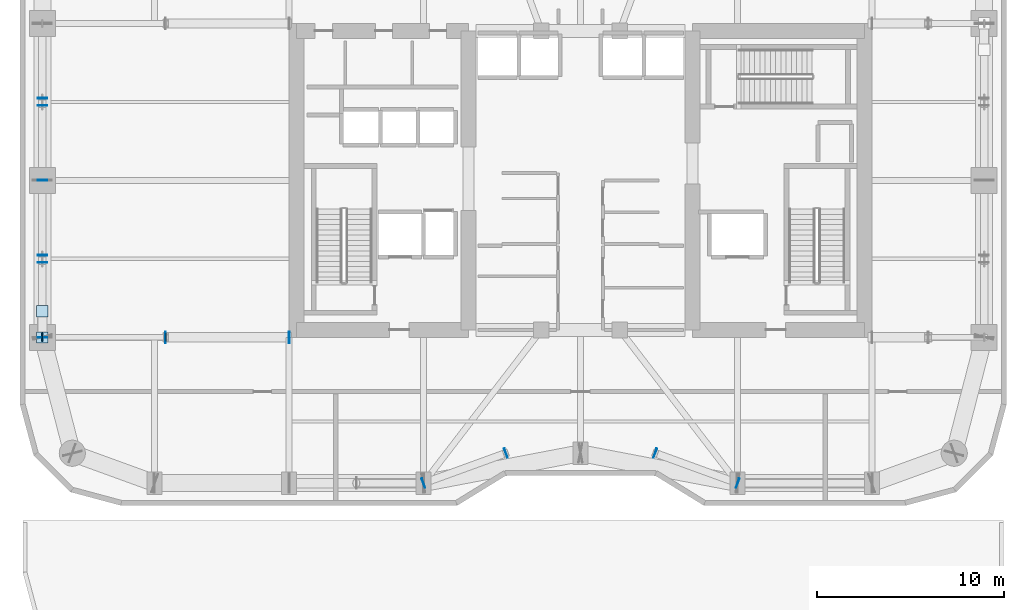
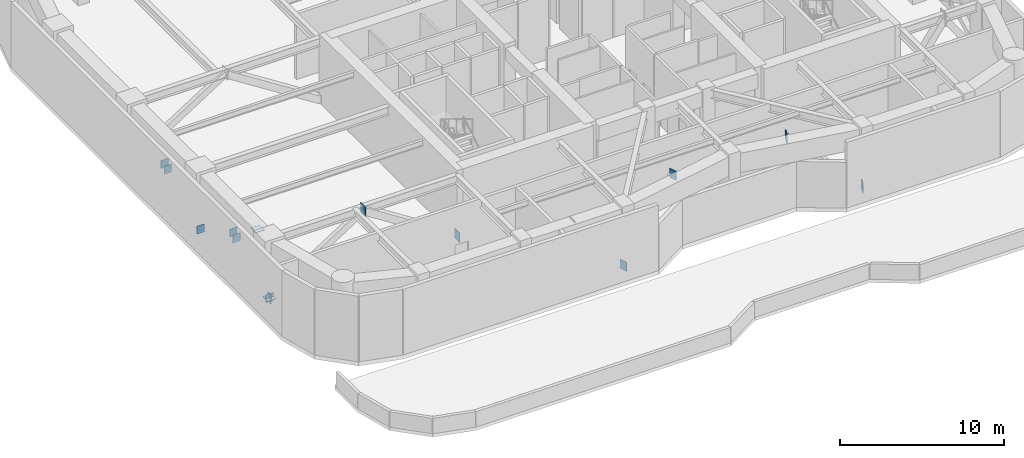
# One storey, part 8 of 16: 17 plates.
"""IFC4 building model written with IfcOpenShell, lengths in metres."""

from ifc_helpers import new_model, si_unit, direction, frame, origin, origin_2d, place, context, subcontext, project, spatial, rectangle, extrude, material, layer, layer_set, type_object, element, save


model = new_model("IFC4")

# Units and contexts
model_context = context("Model", 3, precision=1e-05, world=origin(), true_north=direction((0.0, 1.0)))
body_context = subcontext(model_context, "Body", "Model", "MODEL_VIEW")
ifc_project = project(units=[si_unit("LENGTHUNIT", "METRE"), si_unit("AREAUNIT", "SQUARE_METRE"), si_unit("VOLUMEUNIT", "CUBIC_METRE"), si_unit("PLANEANGLEUNIT", "RADIAN"), si_unit("MASSUNIT", "GRAM", prefix="KILO")], contexts=[model_context])

# Site, building, storey
site_placement = place(None, origin())
site = spatial("IfcSite", under=ifc_project, at=site_placement, CompositionType="ELEMENT")
building_placement = place(site_placement, origin())
building = spatial("IfcBuilding", under=site, at=building_placement, Name="Kiyonajd Concourse Tower", CompositionType="ELEMENT")
storey_placement = place(building_placement, frame((0.0, 0.0, 145.5)))
storey = spatial("IfcBuildingStorey", under=building, at=storey_placement, Name="L37", CompositionType="ELEMENT", Elevation=145.5)

# Plates
ifc_material = material(Name="Steel ASTM A572 Grade 50", Category="steel")
ifc_layer_1 = layer(ifc_material, 0.028076171875)
ifc_layer_set_1 = layer_set([ifc_layer_1], Name="Steel ASTM A572 Grade 50")
plate_type_1 = type_object("IfcPlateType", Name="PL-CAP-450", PredefinedType="USERDEFINED", material=ifc_layer_set_1)
for number, where, z_axis, x_axis, name in (
    (1, (19.199951171875, 27.596435546875, 0.275390625), (0.0, 0.0, 1.0), (1.0, 0.0, 0.0), "L37 Hollow Brace End Cap Plate PBW"),
    (2, (19.199951171875, 29.00341796875, 4.5263671875), (0.0, 0.0, 1.0), (1.0, 0.0, 0.0), "L37 Hollow Brace Top Cap Plate PBW"),
):
    element("IfcPlate", number, at=place(storey_placement, frame(where, z_axis=z_axis, x_axis=x_axis)), inside=storey, type_object=plate_type_1, Name=name, ObjectType="CAP PLATE", PredefinedType="USERDEFINED", context=body_context, shape_type="SweptSolid", body=[
        extrude(rectangle(XDim=0.60791015625, YDim=0.60791015625, at=origin_2d()), origin(), (0.0, 0.0, 1.0), 0.028076171875),
    ])
ifc_layer_2 = layer(ifc_material, 0.031982421875)
ifc_layer_set_2 = layer_set([ifc_layer_2], Name="Steel ASTM A572 Grade 50")
plate_type_2 = type_object("IfcPlateType", Name="PL-CAP-540", PredefinedType="USERDEFINED", material=ifc_layer_set_2)
for number, where, z_axis, x_axis, name in (
    (3, (32.4091796875, 27.60009765625, -0.07275390625), (0.0, 0.0, 1.0), (1.0, 0.0, 0.0), "L37 Outrigger End Cap Plate 01"),
    (4, (25.790771484375, 27.60009765625, 4.1689453125), (0.0, 0.0, 1.0), (-1.0, 0.0, 0.0), "L37 Outrigger Far End Cap Plate 01"),
):
    element("IfcPlate", number, at=place(storey_placement, frame(where, z_axis=z_axis, x_axis=x_axis)), inside=storey, type_object=plate_type_2, Name=name, ObjectType="CAP PLATE", PredefinedType="USERDEFINED", context=body_context, shape_type="SweptSolid", body=[
        extrude(rectangle(XDim=0.035888671875, YDim=0.6201171875, at=origin_2d()), origin(), (0.0, 0.0, 1.0), 0.73388671875),
    ])
for number, where, z_axis, x_axis, name in (
    (5, (25.809326171875, 27.60009765625, 4.19873046875), (0.0, 0.0, 1.0), (1.0, 0.0, 0.0), "L37 Outrigger End Cap Plate 02"),
    (6, (19.190673828125, 27.60009765625, -0.04296875), (0.0, 0.0, 1.0), (-1.0, 0.0, 0.0), "L37 Outrigger Far End Cap Plate 02"),
):
    element("IfcPlate", number, at=place(storey_placement, frame(where, z_axis=z_axis, x_axis=x_axis)), inside=storey, type_object=plate_type_2, Name=name, ObjectType="CAP PLATE", PredefinedType="USERDEFINED", context=body_context, shape_type="SweptSolid", body=[
        extrude(rectangle(XDim=0.035888671875, YDim=0.419921875, at=origin_2d()), origin(), (0.0, 0.0, 1.0), 0.674072265625),
    ])
for number, where, z_axis, x_axis, name in (
    (7, (39.59228515625, 19.797119140625, -0.046875), (0.0, 0.0, 1.0), (-0.939811951086, -0.341692107891, 0.0), "L37 Outrigger End Cap Plate 10"),
    (8, (44.0078125, 21.40283203125, 4.19775390625), (0.0, 0.0, 1.0), (0.939811951086, 0.341692107891, 0.0), "L37 Outrigger Far End Cap Plate 10"),
    (9, (51.9921875, 21.40283203125, 4.19775390625), (0.0, 0.0, 1.0), (-0.939811951086, 0.341692107891, 0.0), "L37 Outrigger End Cap Plate 11"),
    (10, (56.40771484375, 19.797119140625, -0.046875), (0.0, 0.0, 1.0), (0.939811951086, -0.341692107891, 0.0), "L37 Outrigger Far End Cap Plate 11"),
):
    element("IfcPlate", number, at=place(storey_placement, frame(where, z_axis=z_axis, x_axis=x_axis)), inside=storey, type_object=plate_type_2, Name=name, ObjectType="CAP PLATE", PredefinedType="USERDEFINED", context=body_context, shape_type="SweptSolid", body=[
        extrude(rectangle(XDim=0.035888671875, YDim=0.52001953125, at=origin_2d()), origin(), (0.0, 0.0, 1.0), 0.678955078125),
    ])
for number, where, z_axis, x_axis, name in (
    (11, (19.199951171875, 36.009765625, 0.001220703125), (0.0, 0.0, 1.0), (0.0, 1.0, 0.0), "L37 X Brace Far End Cap W1"),
    (12, (19.199951171875, 27.590087890625, 0.001220703125), (0.0, 0.0, 1.0), (0.0, -1.0, 0.0), "L37 Split X Brace Outer Cap W1"),
    (13, (19.199951171875, 31.6044921875, 2.0224609375), (0.0, 0.0, 1.0), (0.0, 1.0, 0.0), "L37 Split X Brace Node Collar W1"),
    (14, (19.199951171875, 31.99560546875, 2.219482421875), (0.0, 0.0, 1.0), (0.0, -1.0, 0.0), "L37 Split X Brace Node Collar W1"),
    (15, (19.199951171875, 35.990234375, 0.001220703125), (0.0, 0.0, 1.0), (0.0, -1.0, 0.0), "L37 Split X Brace Outer Cap W2"),
    (16, (19.199951171875, 40.00439453125, 2.0224609375), (0.0, 0.0, 1.0), (0.0, 1.0, 0.0), "L37 Split X Brace Node Collar W2"),
    (17, (19.199951171875, 40.3955078125, 2.219482421875), (0.0, 0.0, 1.0), (0.0, -1.0, 0.0), "L37 Split X Brace Node Collar W2"),
):
    element("IfcPlate", number, at=place(storey_placement, frame(where, z_axis=z_axis, x_axis=x_axis)), inside=storey, type_object=plate_type_2, Name=name, ObjectType="CAP PLATE", PredefinedType="USERDEFINED", context=body_context, shape_type="SweptSolid", body=[
        extrude(rectangle(XDim=0.035888671875, YDim=0.52001953125, at=origin_2d()), origin(), (0.0, 0.0, 1.0), 0.587890625),
    ])

save(model, "model.ifc")
